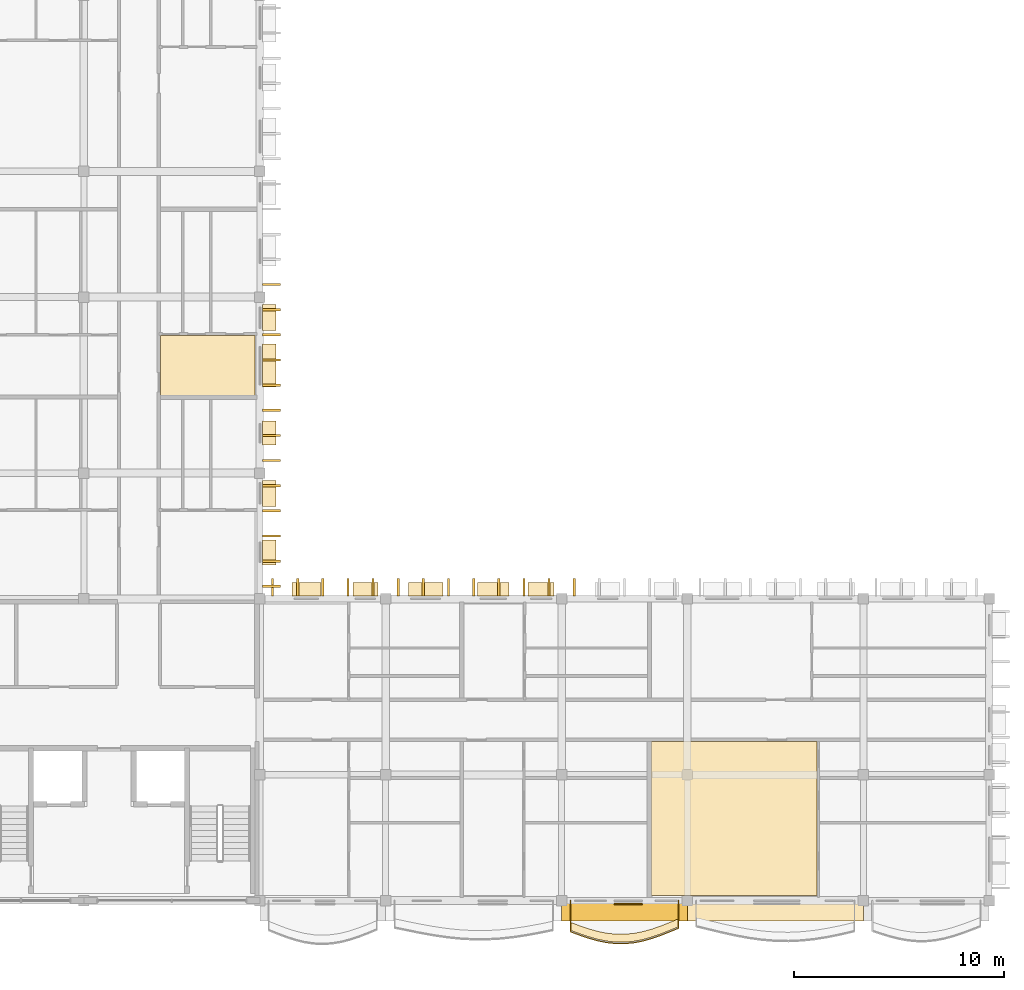
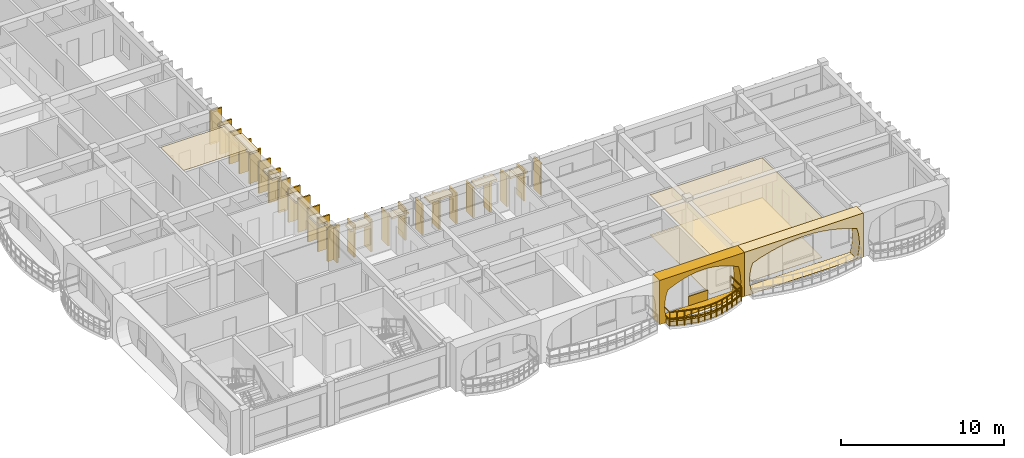
# One storey, part 42 of 66: 43 coverings, 1 railing.
"""IFC4 building model written with IfcOpenShell, lengths in metres."""

from ifc_helpers import new_model, si_unit, direction, frame, origin, origin_2d, place, context, subcontext, project, spatial, polyline, rectangle, outline, extrude, material, layer, layer_set, type_object, element, save


model = new_model("IFC4")

# Units and contexts
model_context = context("Model", 3, precision=1e-05, world=origin(), true_north=direction((0.0, 1.0)))
body_context = subcontext(model_context, "Body", "Model", "MODEL_VIEW")
ifc_project = project(units=[si_unit("LENGTHUNIT", "METRE"), si_unit("AREAUNIT", "SQUARE_METRE"), si_unit("VOLUMEUNIT", "CUBIC_METRE"), si_unit("PLANEANGLEUNIT", "RADIAN"), si_unit("MASSUNIT", "GRAM", prefix="KILO"), si_unit("THERMODYNAMICTEMPERATUREUNIT", "KELVIN")], contexts=[model_context])

# Site, building, storey
site_placement = place(None, origin())
site = spatial("IfcSite", under=ifc_project, at=site_placement, CompositionType="ELEMENT")
building_placement = place(site_placement, origin())
building = spatial("IfcBuilding", under=site, at=building_placement, Name="Thalorik Housing Commons", CompositionType="ELEMENT")
storey_placement = place(building_placement, frame((0.0, 0.0, 21.300048828125)))
storey = spatial("IfcBuildingStorey", under=building, at=storey_placement, Name="L06", CompositionType="ELEMENT", Elevation=21.300048828125)

# Coverings
ifc_material_1 = material(Name="Precast concrete C40/50", Category="concrete")
ifc_layer_1 = layer(ifc_material_1, 0.85009765625, Name="Precast concrete C40/50", Category="concrete")
ifc_layer_set_1 = layer_set([ifc_layer_1], Name="Precast concrete C40/50")
covering_type_1 = type_object("IfcCoveringType", Name="ARC-CLD-CUSH-850", PredefinedType="CLADDING", material=ifc_layer_set_1)
covering_1_placement = place(storey_placement, frame((40.199951171875, 7.844970703125, 0.0), z_axis=(0.0, 0.0, 1.0), x_axis=(1.0, 0.0, 0.0)))
element("IfcCovering", 1, at=covering_1_placement, inside=storey, type_object=covering_type_1, Name="L06 White Precast Curved Cushion Bay Frame 4093", PredefinedType="CLADDING", context=body_context, shape_type="SweptSolid", body=[
    extrude(outline(polyline([(-3.0, 0.0), (3.0, 0.0), (3.0, 3.300048828125), (-3.0, 3.300048828125), (-3.0, 0.0)]), holes=[polyline([(2.574951171875, 0.02490234375), (2.664794921875, 0.415771484375), (2.718505859375, 0.806640625), (2.736572265625, 1.197509765625), (2.718505859375, 1.58837890625), (2.664794921875, 1.979248046875), (2.574951171875, 2.3701171875), (2.157958984375, 2.573974609375), (1.74072265625, 2.734130859375), (1.32373046875, 2.864013671875), (0.90673828125, 2.960205078125), (0.489501953125, 3.02001953125), (0.072509765625, 3.0400390625), (-0.344482421875, 3.02001953125), (-0.76171875, 2.960205078125), (-1.1787109375, 2.864013671875), (-1.595703125, 2.734130859375), (-2.012939453125, 2.573974609375), (-2.429931640625, 2.3701171875), (-2.55029296875, 1.979248046875), (-2.62255859375, 1.58837890625), (-2.646484375, 1.197509765625), (-2.62255859375, 0.806640625), (-2.55029296875, 0.415771484375), (-2.429931640625, 0.02490234375), (2.574951171875, 0.02490234375)])]), frame((0.0, 0.425048828125, 0.0), z_axis=(0.0, -1.0, 0.0), x_axis=(1.0, 0.0, 0.0)), (0.0, 0.0, 1.0), 0.85009765625),
])
covering_2_placement = place(storey_placement, frame((47.39990234375, 7.844970703125, 0.0), z_axis=(0.0, 0.0, 1.0), x_axis=(1.0, 0.0, 0.0)))
element("IfcCovering", 2, at=covering_2_placement, inside=storey, type_object=covering_type_1, Name="L06 White Precast Curved Cushion Bay Frame 4095", PredefinedType="CLADDING", context=body_context, shape_type="SweptSolid", body=[
    extrude(outline(polyline([(-4.199951171875, 0.0), (4.199951171875, 0.0), (4.199951171875, 3.300048828125), (-4.199951171875, 3.300048828125), (-4.199951171875, 0.0)]), holes=[polyline([(3.737548828125, 0.02490234375), (3.835205078125, 0.404296875), (3.893798828125, 0.783203125), (3.913330078125, 1.16259765625), (3.893798828125, 1.541748046875), (3.835205078125, 1.9208984375), (3.737548828125, 2.300048828125), (3.12353515625, 2.525390625), (2.509521484375, 2.7021484375), (1.8955078125, 2.845458984375), (1.28173828125, 2.951904296875), (0.667724609375, 3.017822265625), (0.0537109375, 3.0400390625), (-0.560302734375, 3.017822265625), (-1.17431640625, 2.951904296875), (-1.7880859375, 2.845458984375), (-2.402099609375, 2.7021484375), (-3.01611328125, 2.525390625), (-3.6298828125, 2.300048828125), (-3.750244140625, 1.9208984375), (-3.822509765625, 1.541748046875), (-3.8466796875, 1.16259765625), (-3.822509765625, 0.783203125), (-3.750244140625, 0.404296875), (-3.6298828125, 0.02490234375), (3.737548828125, 0.02490234375)])]), frame((0.0, 0.425048828125, 0.0), z_axis=(0.0, -1.0, 0.0), x_axis=(1.0, 0.0, 0.0)), (0.0, 0.0, 1.0), 0.85009765625),
])
ifc_layer_2 = layer(ifc_material_1, 0.85009765625, Name="Precast concrete C40/50", Category="concrete")
ifc_layer_set_2 = layer_set([ifc_layer_2], Name="Precast concrete C40/50")
covering_type_2 = type_object("IfcCoveringType", Name="ARC-CLD-FIN-850", PredefinedType="CLADDING", material=ifc_layer_set_2)
for number, where, z_axis, x_axis, name in (
    (3, (23.35498046875, 23.39990234375, 0.039794921875), (0.0, 0.0, 1.0), (0.0, 1.0, 0.0), "L06 Courtyard Precast Vertical Brise-Soleil Fin 4017"),
    (4, (23.35498046875, 24.60009765625, 0.039794921875), (0.0, 0.0, 1.0), (0.0, 1.0, 0.0), "L06 Courtyard Precast Vertical Brise-Soleil Fin 4018"),
    (5, (23.35498046875, 25.800048828125, 0.039794921875), (0.0, 0.0, 1.0), (0.0, 1.0, 0.0), "L06 Courtyard Precast Vertical Brise-Soleil Fin 4019"),
    (6, (23.35498046875, 27.0, 0.039794921875), (0.0, 0.0, 1.0), (0.0, 1.0, 0.0), "L06 Courtyard Precast Vertical Brise-Soleil Fin 4020"),
    (7, (23.35498046875, 28.199951171875, 0.039794921875), (0.0, 0.0, 1.0), (0.0, 1.0, 0.0), "L06 Courtyard Precast Vertical Brise-Soleil Fin 4021"),
):
    element("IfcCovering", number, at=place(storey_placement, frame(where, z_axis=z_axis, x_axis=x_axis)), inside=storey, type_object=covering_type_2, Name=name, PredefinedType="CLADDING", context=body_context, shape_type="SweptSolid", body=[
        extrude(rectangle(XDim=0.110107421875, YDim=0.85009765625, at=origin_2d()), origin(), (0.0, 0.0, 1.0), 2.4951171875),
    ])
for number, where, z_axis, x_axis, name in (
    (8, (23.35498046875, 29.39990234375, 0.0400390625), (0.0, 0.0, 1.0), (0.0, 1.0, 0.0), "L06 Courtyard Precast Vertical Brise-Soleil Fin 4024"),
    (9, (23.35498046875, 30.60009765625, 0.0400390625), (0.0, 0.0, 1.0), (0.0, 1.0, 0.0), "L06 Courtyard Precast Vertical Brise-Soleil Fin 4025"),
    (10, (23.35498046875, 31.800048828125, 0.0400390625), (0.0, 0.0, 1.0), (0.0, 1.0, 0.0), "L06 Courtyard Precast Vertical Brise-Soleil Fin 4026"),
    (11, (23.35498046875, 33.0, 0.0400390625), (0.0, 0.0, 1.0), (0.0, 1.0, 0.0), "L06 Courtyard Precast Vertical Brise-Soleil Fin 4027"),
    (12, (23.35498046875, 34.199951171875, 0.0400390625), (0.0, 0.0, 1.0), (0.0, 1.0, 0.0), "L06 Courtyard Precast Vertical Brise-Soleil Fin 4028"),
    (13, (23.35498046875, 35.39990234375, 0.0400390625), (0.0, 0.0, 1.0), (0.0, 1.0, 0.0), "L06 Courtyard Precast Vertical Brise-Soleil Fin 4029"),
    (14, (23.35498046875, 36.60009765625, 0.0400390625), (0.0, 0.0, 1.0), (0.0, 1.0, 0.0), "L06 Courtyard Precast Vertical Brise-Soleil Fin 4030"),
):
    element("IfcCovering", number, at=place(storey_placement, frame(where, z_axis=z_axis, x_axis=x_axis)), inside=storey, type_object=covering_type_2, Name=name, PredefinedType="CLADDING", context=body_context, shape_type="SweptSolid", body=[
        extrude(rectangle(XDim=0.110107421875, YDim=0.85009765625, at=origin_2d()), origin(), (0.0, 0.0, 1.0), 2.344970703125),
    ])
covering_3_placement = place(storey_placement, frame((23.35498046875, 37.800048828125, 0.039794921875), z_axis=(0.0, 0.0, 1.0), x_axis=(0.0, 1.0, 0.0)))
element("IfcCovering", 15, at=covering_3_placement, inside=storey, type_object=covering_type_2, Name="L06 Courtyard Precast Vertical Brise-Soleil Fin 4034", PredefinedType="CLADDING", context=body_context, shape_type="SweptSolid", body=[
    extrude(rectangle(XDim=0.110107421875, YDim=0.85009765625, at=origin_2d()), origin(), (0.0, 0.0, 1.0), 2.4951171875),
])
covering_4_placement = place(storey_placement, frame((37.800048828125, 23.35498046875, 0.0400390625), z_axis=(0.0, 0.0, 1.0), x_axis=(-1.0, 0.0, 0.0)))
element("IfcCovering", 16, at=covering_4_placement, inside=storey, type_object=covering_type_2, Name="L06 Courtyard Precast Vertical Brise-Soleil Fin 4137", PredefinedType="CLADDING", context=body_context, shape_type="SweptSolid", body=[
    extrude(rectangle(XDim=0.110107421875, YDim=0.85009765625, at=origin_2d()), origin(), (0.0, 0.0, 1.0), 2.39501953125),
])
for number, where, z_axis, x_axis, name in (
    (17, (36.60009765625, 23.35498046875, 0.0400390625), (0.0, 0.0, 1.0), (-1.0, 0.0, 0.0), "L06 Courtyard Precast Vertical Brise-Soleil Fin 4140"),
    (18, (35.39990234375, 23.35498046875, 0.0400390625), (0.0, 0.0, 1.0), (-1.0, 0.0, 0.0), "L06 Courtyard Precast Vertical Brise-Soleil Fin 4141"),
    (19, (34.199951171875, 23.35498046875, 0.0400390625), (0.0, 0.0, 1.0), (-1.0, 0.0, 0.0), "L06 Courtyard Precast Vertical Brise-Soleil Fin 4142"),
    (20, (33.0, 23.35498046875, 0.0400390625), (0.0, 0.0, 1.0), (-1.0, 0.0, 0.0), "L06 Courtyard Precast Vertical Brise-Soleil Fin 4143"),
    (21, (31.800048828125, 23.35498046875, 0.0400390625), (0.0, 0.0, 1.0), (-1.0, 0.0, 0.0), "L06 Courtyard Precast Vertical Brise-Soleil Fin 4144"),
    (22, (30.60009765625, 23.35498046875, 0.0400390625), (0.0, 0.0, 1.0), (-1.0, 0.0, 0.0), "L06 Courtyard Precast Vertical Brise-Soleil Fin 4145"),
    (23, (29.39990234375, 23.35498046875, 0.0400390625), (0.0, 0.0, 1.0), (-1.0, 0.0, 0.0), "L06 Courtyard Precast Vertical Brise-Soleil Fin 4146"),
):
    element("IfcCovering", number, at=place(storey_placement, frame(where, z_axis=z_axis, x_axis=x_axis)), inside=storey, type_object=covering_type_2, Name=name, PredefinedType="CLADDING", context=body_context, shape_type="SweptSolid", body=[
        extrude(rectangle(XDim=0.110107421875, YDim=0.85009765625, at=origin_2d()), origin(), (0.0, 0.0, 1.0), 2.294921875),
    ])
for number, where, z_axis, x_axis, name in (
    (24, (28.199951171875, 23.35498046875, 0.0400390625), (0.0, 0.0, 1.0), (-1.0, 0.0, 0.0), "L06 Courtyard Precast Vertical Brise-Soleil Fin 4150"),
    (25, (27.0, 23.35498046875, 0.0400390625), (0.0, 0.0, 1.0), (-1.0, 0.0, 0.0), "L06 Courtyard Precast Vertical Brise-Soleil Fin 4151"),
    (26, (25.800048828125, 23.35498046875, 0.0400390625), (0.0, 0.0, 1.0), (-1.0, 0.0, 0.0), "L06 Courtyard Precast Vertical Brise-Soleil Fin 4152"),
    (27, (24.60009765625, 23.35498046875, 0.0400390625), (0.0, 0.0, 1.0), (-1.0, 0.0, 0.0), "L06 Courtyard Precast Vertical Brise-Soleil Fin 4153"),
    (28, (23.39990234375, 23.35498046875, 0.0400390625), (0.0, 0.0, 1.0), (-1.0, 0.0, 0.0), "L06 Courtyard Precast Vertical Brise-Soleil Fin 4154"),
):
    element("IfcCovering", number, at=place(storey_placement, frame(where, z_axis=z_axis, x_axis=x_axis)), inside=storey, type_object=covering_type_2, Name=name, PredefinedType="CLADDING", context=body_context, shape_type="SweptSolid", body=[
        extrude(rectangle(XDim=0.110107421875, YDim=0.85009765625, at=origin_2d()), origin(), (0.0, 0.0, 1.0), 2.39501953125),
    ])
ifc_layer_3 = layer(ifc_material_1, 0.64990234375, Name="Precast concrete C40/50", Category="concrete")
ifc_layer_set_3 = layer_set([ifc_layer_3], Name="Precast concrete C40/50")
covering_type_3 = type_object("IfcCoveringType", Name="ARC-CLD-HOOD-650", PredefinedType="CLADDING", material=ifc_layer_set_3)
covering_5_placement = place(storey_placement, frame((23.2548828125, 25.019775390625, 1.93994140625), z_axis=(0.0, 0.0, 1.0), x_axis=(0.0, 1.0, 0.0)))
element("IfcCovering", 29, at=covering_5_placement, inside=storey, type_object=covering_type_3, Name="L06 Courtyard Precast Window Sun-Hood 4022", PredefinedType="CLADDING", context=body_context, shape_type="SweptSolid", body=[
    extrude(rectangle(XDim=1.18994140625, YDim=0.64990234375, at=origin_2d()), origin(), (0.0, 0.0, 1.0), 0.139892578125),
])
covering_6_placement = place(storey_placement, frame((23.2548828125, 27.829833984375, 2.0400390625), z_axis=(0.0, 0.0, 1.0), x_axis=(0.0, 1.0, 0.0)))
element("IfcCovering", 30, at=covering_6_placement, inside=storey, type_object=covering_type_3, Name="L06 Courtyard Precast Window Sun-Hood 4023", PredefinedType="CLADDING", context=body_context, shape_type="SweptSolid", body=[
    extrude(rectangle(XDim=1.239990234375, YDim=0.64990234375, at=origin_2d()), origin(), (0.0, 0.0, 1.0), 0.139892578125),
])
covering_7_placement = place(storey_placement, frame((23.2548828125, 30.7099609375, 1.990234375), z_axis=(0.0, 0.0, 1.0), x_axis=(0.0, 1.0, 0.0)))
element("IfcCovering", 31, at=covering_7_placement, inside=storey, type_object=covering_type_3, Name="L06 Courtyard Precast Window Sun-Hood 4031", PredefinedType="CLADDING", context=body_context, shape_type="SweptSolid", body=[
    extrude(rectangle(XDim=1.139892578125, YDim=0.64990234375, at=origin_2d()), origin(), (0.0, 0.0, 1.0), 0.139892578125),
])
covering_8_placement = place(storey_placement, frame((23.2548828125, 33.930419921875, 2.25), z_axis=(0.0, 0.0, 1.0), x_axis=(0.0, 1.0, 0.0)))
element("IfcCovering", 32, at=covering_8_placement, inside=storey, type_object=covering_type_3, Name="L06 Courtyard Precast Window Sun-Hood 4032", PredefinedType="CLADDING", context=body_context, shape_type="SweptSolid", body=[
    extrude(rectangle(XDim=2.06005859375, YDim=0.64990234375, at=origin_2d()), origin(), (0.0, 0.0, 1.0), 0.139892578125),
])
for number, where, z_axis, x_axis, name in (
    (33, (23.2548828125, 36.220458984375, 2.0400390625), (0.0, 0.0, 1.0), (0.0, 1.0, 0.0), "L06 Courtyard Precast Window Sun-Hood 4033"),
    (34, (36.220458984375, 23.2548828125, 2.0400390625), (0.0, 0.0, 1.0), (-1.0, 0.0, 0.0), "L06 Courtyard Precast Window Sun-Hood 4147"),
):
    element("IfcCovering", number, at=place(storey_placement, frame(where, z_axis=z_axis, x_axis=x_axis)), inside=storey, type_object=covering_type_3, Name=name, PredefinedType="CLADDING", context=body_context, shape_type="SweptSolid", body=[
        extrude(rectangle(XDim=1.239990234375, YDim=0.64990234375, at=origin_2d()), origin(), (0.0, 0.0, 1.0), 0.139892578125),
    ])
covering_9_placement = place(storey_placement, frame((33.930419921875, 23.2548828125, 2.22509765625), z_axis=(0.0, 0.0, 1.0), x_axis=(-1.0, 0.0, 0.0)))
element("IfcCovering", 35, at=covering_9_placement, inside=storey, type_object=covering_type_3, Name="L06 Courtyard Precast Window Sun-Hood 4148", PredefinedType="CLADDING", context=body_context, shape_type="SweptSolid", body=[
    extrude(rectangle(XDim=1.489990234375, YDim=0.64990234375, at=origin_2d()), origin(), (0.0, 0.0, 1.0), 0.139892578125),
])
covering_10_placement = place(storey_placement, frame((30.7099609375, 23.2548828125, 2.22509765625), z_axis=(0.0, 0.0, 1.0), x_axis=(-1.0, 0.0, 0.0)))
element("IfcCovering", 36, at=covering_10_placement, inside=storey, type_object=covering_type_3, Name="L06 Courtyard Precast Window Sun-Hood 4149", PredefinedType="CLADDING", context=body_context, shape_type="SweptSolid", body=[
    extrude(rectangle(XDim=1.639892578125, YDim=0.64990234375, at=origin_2d()), origin(), (0.0, 0.0, 1.0), 0.139892578125),
])
covering_11_placement = place(storey_placement, frame((27.829833984375, 23.2548828125, 1.93994140625), z_axis=(0.0, 0.0, 1.0), x_axis=(-1.0, 0.0, 0.0)))
element("IfcCovering", 37, at=covering_11_placement, inside=storey, type_object=covering_type_3, Name="L06 Courtyard Precast Window Sun-Hood 4155", PredefinedType="CLADDING", context=body_context, shape_type="SweptSolid", body=[
    extrude(rectangle(XDim=1.18994140625, YDim=0.64990234375, at=origin_2d()), origin(), (0.0, 0.0, 1.0), 0.139892578125),
])
covering_12_placement = place(storey_placement, frame((25.019775390625, 23.2548828125, 2.0400390625), z_axis=(0.0, 0.0, 1.0), x_axis=(-1.0, 0.0, 0.0)))
element("IfcCovering", 38, at=covering_12_placement, inside=storey, type_object=covering_type_3, Name="L06 Courtyard Precast Window Sun-Hood 4156", PredefinedType="CLADDING", context=body_context, shape_type="SweptSolid", body=[
    extrude(rectangle(XDim=1.389892578125, YDim=0.64990234375, at=origin_2d()), origin(), (0.0, 0.0, 1.0), 0.139892578125),
])
ifc_material_2 = material(Name="Mineral ochre architectural terracotta panel", Category="masonry")
ifc_layer_4 = layer(ifc_material_2, 0.06494140625, Name="Mineral ochre architectural terracotta panel", Category="masonry")
ifc_layer_set_4 = layer_set([ifc_layer_4], Name="Mineral ochre architectural terracotta panel")
covering_type_4 = type_object("IfcCoveringType", Name="ARC-CLD-YEL-65", PredefinedType="CLADDING", material=ifc_layer_set_4)
covering_13_placement = place(storey_placement, frame((40.3798828125, 8.232421875, 0.0498046875), z_axis=(0.0, 0.0, 1.0), x_axis=(1.0, 0.0, 0.0)))
element("IfcCovering", 39, at=covering_13_placement, inside=storey, type_object=covering_type_4, Name="L06 De Stijl Recessed Window Spandrel 4094", PredefinedType="CLADDING", context=body_context, shape_type="SweptSolid", body=[
    extrude(rectangle(XDim=1.35009765625, YDim=0.06494140625, at=origin_2d()), origin(), (0.0, 0.0, 1.0), 0.699951171875),
])
ifc_material_3 = material(Name="Moisture-resistant gypsum bathroom ceiling")
ifc_layer_5 = layer(ifc_material_3, 0.02490234375, Name="Moisture-resistant gypsum bathroom ceiling")
ifc_layer_set_5 = layer_set([ifc_layer_5], Name="Moisture-resistant gypsum bathroom ceiling")
covering_type_5 = type_object("IfcCoveringType", Name="ARC-COV-CEIL-04", PredefinedType="CEILING", material=ifc_layer_set_5)
covering_14_placement = place(storey_placement, frame((0.0, 0.0, 2.974853515625)))
element("IfcCovering", 40, at=covering_14_placement, inside=storey, type_object=covering_type_5, Name="L06 Sunlit Wintergarden Lounge Suspended Ceiling", PredefinedType="CEILING", context=body_context, shape_type="SweptSolid", body=[
    extrude(outline(polyline([(22.56005859375, 35.36083984375), (18.06005859375, 35.36083984375), (18.06005859375, 32.510009765625), (22.56005859375, 32.510009765625), (22.56005859375, 35.36083984375)])), origin(), (0.0, 0.0, 1.0), 0.025146484375),
])
covering_15_placement = place(storey_placement, frame((0.0, 0.0, 2.974853515625)))
element("IfcCovering", 41, at=covering_15_placement, inside=storey, type_object=covering_type_5, Name="L06 Living Dining Room Suspended Ceiling", PredefinedType="CEILING", context=body_context, shape_type="SweptSolid", body=[
    extrude(outline(polyline([(49.39501953125, 8.639892578125), (49.39501953125, 16.0), (41.469970703125, 16.0), (41.469970703125, 8.639892578125), (49.39501953125, 8.639892578125)])), origin(), (0.0, 0.0, 1.0), 0.025146484375),
])
ifc_material_4 = material(Name="Sprung Brazilian oak assembly hall timber floor", Category="wood")
ifc_layer_6 = layer(ifc_material_4, 0.02392578125, Name="Sprung Brazilian oak assembly hall timber floor", Category="wood")
ifc_layer_set_6 = layer_set([ifc_layer_6], Name="Sprung Brazilian oak assembly hall timber floor")
covering_type_6 = type_object("IfcCoveringType", Name="ARC-COV-FLR-04", PredefinedType="FLOORING", material=ifc_layer_set_6)
covering_16_placement = place(storey_placement, origin())
element("IfcCovering", 42, at=covering_16_placement, inside=storey, type_object=covering_type_6, Name="L06 Living Dining Room Flooring", PredefinedType="FLOORING", context=body_context, shape_type="SweptSolid", body=[
    extrude(outline(polyline([(49.39501953125, 8.639892578125), (49.39501953125, 16.0), (41.469970703125, 16.0), (41.469970703125, 8.639892578125), (49.39501953125, 8.639892578125)])), origin(), (0.0, 0.0, 1.0), 0.02392578125),
])
ifc_material_5 = material(Name="Planted vegetated substrate and terracotta trough", Category="masonry")
ifc_layer_7 = layer(ifc_material_5, 0.340087890625, Name="Planted vegetated substrate and terracotta trough", Category="masonry")
ifc_layer_set_7 = layer_set([ifc_layer_7], Name="Planted vegetated substrate and terracotta trough")
covering_type_7 = type_object("IfcCoveringType", Name="ARC-COV-PLANTER", PredefinedType="USERDEFINED", material=ifc_layer_set_7)
covering_17_placement = place(storey_placement, origin())
element("IfcCovering", 43, at=covering_17_placement, inside=storey, type_object=covering_type_7, Name="L06 Balcony Slab-Edge Planted Trough 5614", ObjectType="PLANTER", PredefinedType="USERDEFINED", context=body_context, shape_type="SweptSolid", body=[
    extrude(outline(polyline([(37.6201171875, 6.984619140625), (38.050048828125, 6.823486328125), (38.47998046875, 6.677490234375), (38.909912109375, 6.556640625), (39.340087890625, 6.468994140625), (39.77001953125, 6.421142578125), (40.199951171875, 6.41650390625), (40.6298828125, 6.456298828125), (41.06005859375, 6.5380859375), (41.489990234375, 6.657470703125), (41.919921875, 6.806396484375), (42.35009765625, 6.975830078125), (42.780029296875, 7.155029296875), (42.780029296875, 7.534912109375), (42.35009765625, 7.35595703125), (41.919921875, 7.186279296875), (41.489990234375, 7.037353515625), (41.06005859375, 6.918212890625), (40.6298828125, 6.836181640625), (40.199951171875, 6.796630859375), (39.77001953125, 6.801025390625), (39.340087890625, 6.84912109375), (38.909912109375, 6.9365234375), (38.47998046875, 7.0576171875), (38.050048828125, 7.20361328125), (37.6201171875, 7.364501953125), (37.6201171875, 6.984619140625)])), origin(), (0.0, 0.0, 1.0), 0.33984375),
])

# Railing
ifc_material_6 = material(Name="Steel S355", Category="steel")
railing_type = type_object("IfcRailingType", Name="ARC-RL-BAL-112", PredefinedType="BALUSTRADE", material=ifc_material_6)
railing_placement = place(storey_placement, frame((37.6201171875, 8.39990234375, 0.0)))
element("IfcRailing", 44, at=railing_placement, inside=storey, type_object=railing_type, Name="L06 Cushion Balcony Guardrail 298", PredefinedType="BALUSTRADE", context=body_context, shape_type="SweptSolid", body=[
    extrude(rectangle(XDim=0.050048828125, YDim=0.050048828125, at=origin_2d()), frame((0.0, 0.0, 1.09521484375), z_axis=(0.0, -1.0, 0.0), x_axis=(1.0, 0.0, 0.0)), (0.0, 0.0, 1.0), 1.4853515625),
    extrude(rectangle(XDim=0.050048828125, YDim=0.050048828125, at=origin_2d()), frame((0.0, 0.0, 0.53515625), z_axis=(0.0, -1.0, 0.0), x_axis=(1.0, 0.0, 0.0)), (0.0, 0.0, 1.0), 1.4853515625),
    extrude(rectangle(XDim=0.050048828125, YDim=0.050048828125, at=origin_2d()), frame((0.0, -1.4853515625, 1.09521484375), z_axis=(0.936569378676, -0.350482237676, 0.0), x_axis=(0.350482237676, 0.936569378676, 0.0)), (0.0, 0.0, 1.0), 0.458984375),
    extrude(rectangle(XDim=0.050048828125, YDim=0.050048828125, at=origin_2d()), frame((0.0, -1.4853515625, 0.53515625), z_axis=(0.936569378676, -0.350482237676, 0.0), x_axis=(0.350482237676, 0.936569378676, 0.0)), (0.0, 0.0, 1.0), 0.458984375),
    extrude(rectangle(XDim=0.050048828125, YDim=0.050048828125, at=origin_2d()), frame((0.429931640625, -1.646240234375, 1.09521484375), z_axis=(0.946893945051, -0.321546041533, 0.0), x_axis=(0.321546041533, 0.946893945051, 0.0)), (0.0, 0.0, 1.0), 0.4541015625),
    extrude(rectangle(XDim=0.050048828125, YDim=0.050048828125, at=origin_2d()), frame((0.429931640625, -1.646240234375, 0.53515625), z_axis=(0.946893945051, -0.321546041533, 0.0), x_axis=(0.321546041533, 0.946893945051, 0.0)), (0.0, 0.0, 1.0), 0.4541015625),
    extrude(rectangle(XDim=0.050048828125, YDim=0.050048828125, at=origin_2d()), frame((0.85986328125, -1.792236328125, 1.09521484375), z_axis=(0.962548478062, -0.271109622441, 0.0), x_axis=(0.271109622441, 0.962548478062, 0.0)), (0.0, 0.0, 1.0), 0.44677734375),
    extrude(rectangle(XDim=0.050048828125, YDim=0.050048828125, at=origin_2d()), frame((0.85986328125, -1.792236328125, 0.53515625), z_axis=(0.962548478062, -0.271109622441, 0.0), x_axis=(0.271109622441, 0.962548478062, 0.0)), (0.0, 0.0, 1.0), 0.44677734375),
    extrude(rectangle(XDim=0.050048828125, YDim=0.050048828125, at=origin_2d()), frame((1.289794921875, -1.913330078125, 1.09521484375), z_axis=(0.979868490976, -0.1996440342, 0.0), x_axis=(0.1996440342, 0.979868490976, 0.0)), (0.0, 0.0, 1.0), 0.43896484375),
    extrude(rectangle(XDim=0.050048828125, YDim=0.050048828125, at=origin_2d()), frame((1.289794921875, -1.913330078125, 0.53515625), z_axis=(0.979868490976, -0.1996440342, 0.0), x_axis=(0.1996440342, 0.979868490976, 0.0)), (0.0, 0.0, 1.0), 0.43896484375),
    extrude(rectangle(XDim=0.050048828125, YDim=0.050048828125, at=origin_2d()), frame((1.719970703125, -2.0009765625, 1.09521484375), z_axis=(0.993863069462, -0.110617354693, 0.0), x_axis=(0.110617354693, 0.993863069462, 0.0)), (0.0, 0.0, 1.0), 0.4326171875),
    extrude(rectangle(XDim=0.050048828125, YDim=0.050048828125, at=origin_2d()), frame((1.719970703125, -2.0009765625, 0.53515625), z_axis=(0.993863069462, -0.110617354693, 0.0), x_axis=(0.110617354693, 0.993863069462, 0.0)), (0.0, 0.0, 1.0), 0.4326171875),
    extrude(rectangle(XDim=0.050048828125, YDim=0.050048828125, at=origin_2d()), frame((2.14990234375, -2.048828125, 1.09521484375), z_axis=(0.999947764919, -0.010220931158, 0.0), x_axis=(0.010220931158, 0.999947764919, 0.0)), (0.0, 0.0, 1.0), 0.429931640625),
    extrude(rectangle(XDim=0.050048828125, YDim=0.050048828125, at=origin_2d()), frame((2.14990234375, -2.048828125, 0.53515625), z_axis=(0.999947764919, -0.010220931158, 0.0), x_axis=(0.010220931158, 0.999947764919, 0.0)), (0.0, 0.0, 1.0), 0.429931640625),
    extrude(rectangle(XDim=0.050048828125, YDim=0.050048828125, at=origin_2d()), frame((2.579833984375, -2.05322265625, 1.09521484375), z_axis=(0.995795295661, 0.091606381543, 0.0), x_axis=(-0.091606381543, 0.995795295661, 0.0)), (0.0, 0.0, 1.0), 0.431640625),
    extrude(rectangle(XDim=0.050048828125, YDim=0.050048828125, at=origin_2d()), frame((2.579833984375, -2.05322265625, 0.53515625), z_axis=(0.995795295661, 0.091606381543, 0.0), x_axis=(-0.091606381543, 0.995795295661, 0.0)), (0.0, 0.0, 1.0), 0.431640625),
    extrude(rectangle(XDim=0.050048828125, YDim=0.050048828125, at=origin_2d()), frame((3.009765625, -2.013671875, 1.09521484375), z_axis=(0.982299508461, 0.187317045881, 0.0), x_axis=(-0.187317045881, 0.982299508461, 0.0)), (0.0, 0.0, 1.0), 0.43798828125),
    extrude(rectangle(XDim=0.050048828125, YDim=0.050048828125, at=origin_2d()), frame((3.009765625, -2.013671875, 0.53515625), z_axis=(0.982299508461, 0.187317045881, 0.0), x_axis=(-0.187317045881, 0.982299508461, 0.0)), (0.0, 0.0, 1.0), 0.43798828125),
    extrude(rectangle(XDim=0.050048828125, YDim=0.050048828125, at=origin_2d()), frame((3.43994140625, -1.931640625, 1.09521484375), z_axis=(0.963682368492, 0.267051104954, 0.0), x_axis=(-0.267051104954, 0.963682368492, 0.0)), (0.0, 0.0, 1.0), 0.446044921875),
    extrude(rectangle(XDim=0.050048828125, YDim=0.050048828125, at=origin_2d()), frame((3.43994140625, -1.931640625, 0.53515625), z_axis=(0.963682368492, 0.267051104954, 0.0), x_axis=(-0.267051104954, 0.963682368492, 0.0)), (0.0, 0.0, 1.0), 0.446044921875),
    extrude(rectangle(XDim=0.050048828125, YDim=0.050048828125, at=origin_2d()), frame((3.869873046875, -1.8125, 1.09521484375), z_axis=(0.944915878201, 0.327313279786, 0.0), x_axis=(-0.327313279786, 0.944915878201, 0.0)), (0.0, 0.0, 1.0), 0.455078125),
    extrude(rectangle(XDim=0.050048828125, YDim=0.050048828125, at=origin_2d()), frame((3.869873046875, -1.8125, 0.53515625), z_axis=(0.944915878201, 0.327313279786, 0.0), x_axis=(-0.327313279786, 0.944915878201, 0.0)), (0.0, 0.0, 1.0), 0.455078125),
    extrude(rectangle(XDim=0.050048828125, YDim=0.050048828125, at=origin_2d()), frame((4.2998046875, -1.66357421875, 1.09521484375), z_axis=(0.930250088629, 0.366926113279, 0.0), x_axis=(-0.366926113279, 0.930250088629, 0.0)), (0.0, 0.0, 1.0), 0.46240234375),
    extrude(rectangle(XDim=0.050048828125, YDim=0.050048828125, at=origin_2d()), frame((4.2998046875, -1.66357421875, 0.53515625), z_axis=(0.930250088629, 0.366926113279, 0.0), x_axis=(-0.366926113279, 0.930250088629, 0.0)), (0.0, 0.0, 1.0), 0.46240234375),
    extrude(rectangle(XDim=0.050048828125, YDim=0.050048828125, at=origin_2d()), frame((4.72998046875, -1.493896484375, 1.09521484375), z_axis=(0.923216457319, 0.384280331184, 0.0), x_axis=(-0.384280331184, 0.923216457319, 0.0)), (0.0, 0.0, 1.0), 0.465576171875),
    extrude(rectangle(XDim=0.050048828125, YDim=0.050048828125, at=origin_2d()), frame((4.72998046875, -1.493896484375, 0.53515625), z_axis=(0.923216457319, 0.384280331184, 0.0), x_axis=(-0.384280331184, 0.923216457319, 0.0)), (0.0, 0.0, 1.0), 0.465576171875),
    extrude(rectangle(XDim=0.050048828125, YDim=0.050048828125, at=origin_2d()), frame((5.159912109375, -1.31494140625, 1.09521484375), z_axis=(0.0, 1.0, 0.0), x_axis=(-1.0, 0.0, 0.0)), (0.0, 0.0, 1.0), 1.31494140625),
    extrude(rectangle(XDim=0.050048828125, YDim=0.050048828125, at=origin_2d()), frame((5.159912109375, -1.31494140625, 0.53515625), z_axis=(0.0, 1.0, 0.0), x_axis=(-1.0, 0.0, 0.0)), (0.0, 0.0, 1.0), 1.31494140625),
    extrude(rectangle(XDim=0.0419921875, YDim=0.0419921875, at=origin_2d()), origin(), (0.0, 0.0, 1.0), 1.070068359375),
    extrude(rectangle(XDim=0.0419921875, YDim=0.0419921875, at=origin_2d()), frame((0.0, -1.4853515625, 0.0)), (0.0, 0.0, 1.0), 1.070068359375),
    extrude(rectangle(XDim=0.0419921875, YDim=0.0419921875, at=origin_2d()), frame((0.429931640625, -1.646240234375, 0.0)), (0.0, 0.0, 1.0), 1.070068359375),
    extrude(rectangle(XDim=0.0419921875, YDim=0.0419921875, at=origin_2d()), frame((0.85986328125, -1.792236328125, 0.0)), (0.0, 0.0, 1.0), 1.070068359375),
    extrude(rectangle(XDim=0.0419921875, YDim=0.0419921875, at=origin_2d()), frame((1.289794921875, -1.913330078125, 0.0)), (0.0, 0.0, 1.0), 1.070068359375),
    extrude(rectangle(XDim=0.0419921875, YDim=0.0419921875, at=origin_2d()), frame((1.719970703125, -2.0009765625, 0.0)), (0.0, 0.0, 1.0), 1.070068359375),
    extrude(rectangle(XDim=0.0419921875, YDim=0.0419921875, at=origin_2d()), frame((2.14990234375, -2.048828125, 0.0)), (0.0, 0.0, 1.0), 1.070068359375),
    extrude(rectangle(XDim=0.0419921875, YDim=0.0419921875, at=origin_2d()), frame((2.579833984375, -2.05322265625, 0.0)), (0.0, 0.0, 1.0), 1.070068359375),
    extrude(rectangle(XDim=0.0419921875, YDim=0.0419921875, at=origin_2d()), frame((3.009765625, -2.013671875, 0.0)), (0.0, 0.0, 1.0), 1.070068359375),
    extrude(rectangle(XDim=0.0419921875, YDim=0.0419921875, at=origin_2d()), frame((3.43994140625, -1.931640625, 0.0)), (0.0, 0.0, 1.0), 1.070068359375),
    extrude(rectangle(XDim=0.0419921875, YDim=0.0419921875, at=origin_2d()), frame((3.869873046875, -1.8125, 0.0)), (0.0, 0.0, 1.0), 1.070068359375),
    extrude(rectangle(XDim=0.0419921875, YDim=0.0419921875, at=origin_2d()), frame((4.2998046875, -1.66357421875, 0.0)), (0.0, 0.0, 1.0), 1.070068359375),
    extrude(rectangle(XDim=0.0419921875, YDim=0.0419921875, at=origin_2d()), frame((4.72998046875, -1.493896484375, 0.0)), (0.0, 0.0, 1.0), 1.070068359375),
    extrude(rectangle(XDim=0.0419921875, YDim=0.0419921875, at=origin_2d()), frame((5.159912109375, -1.31494140625, 0.0)), (0.0, 0.0, 1.0), 1.070068359375),
    extrude(rectangle(XDim=0.0419921875, YDim=0.0419921875, at=origin_2d()), frame((5.159912109375, 0.0, 0.0)), (0.0, 0.0, 1.0), 1.070068359375),
])

save(model, "model.ifc")
